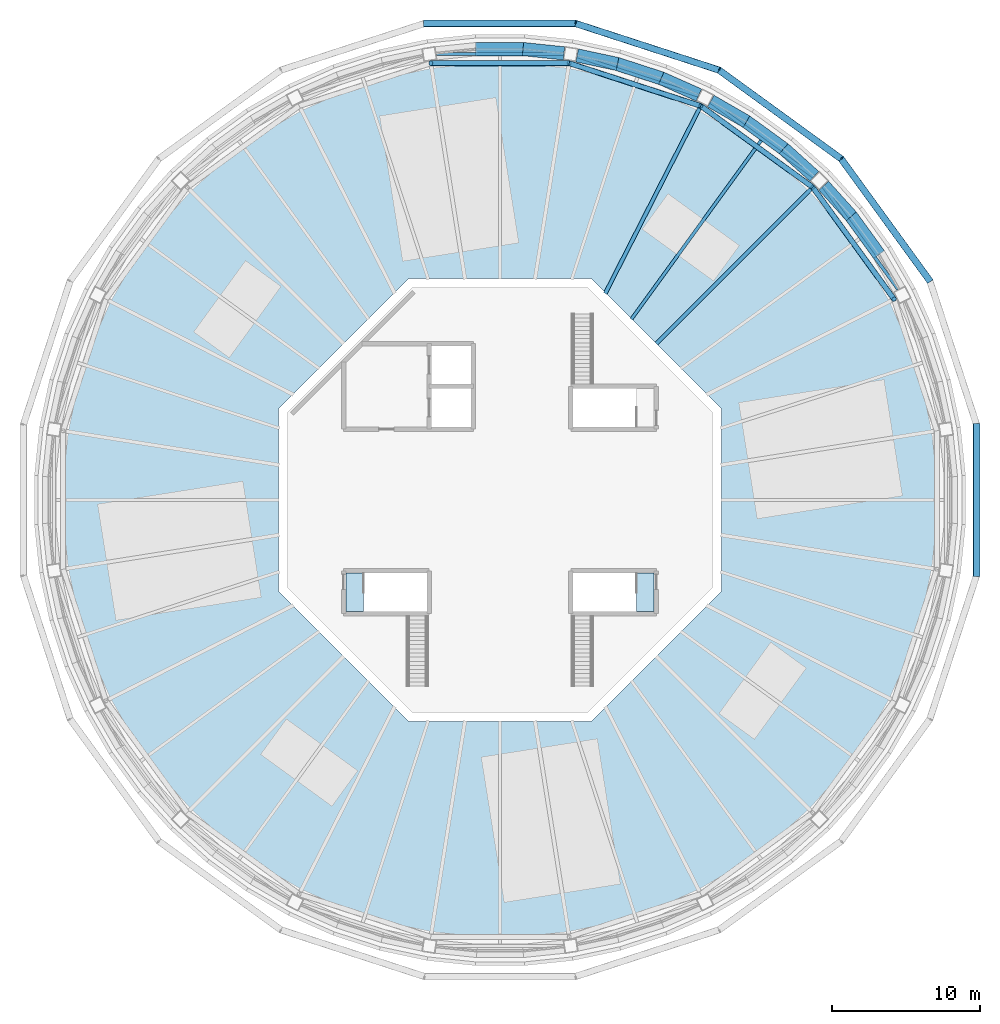
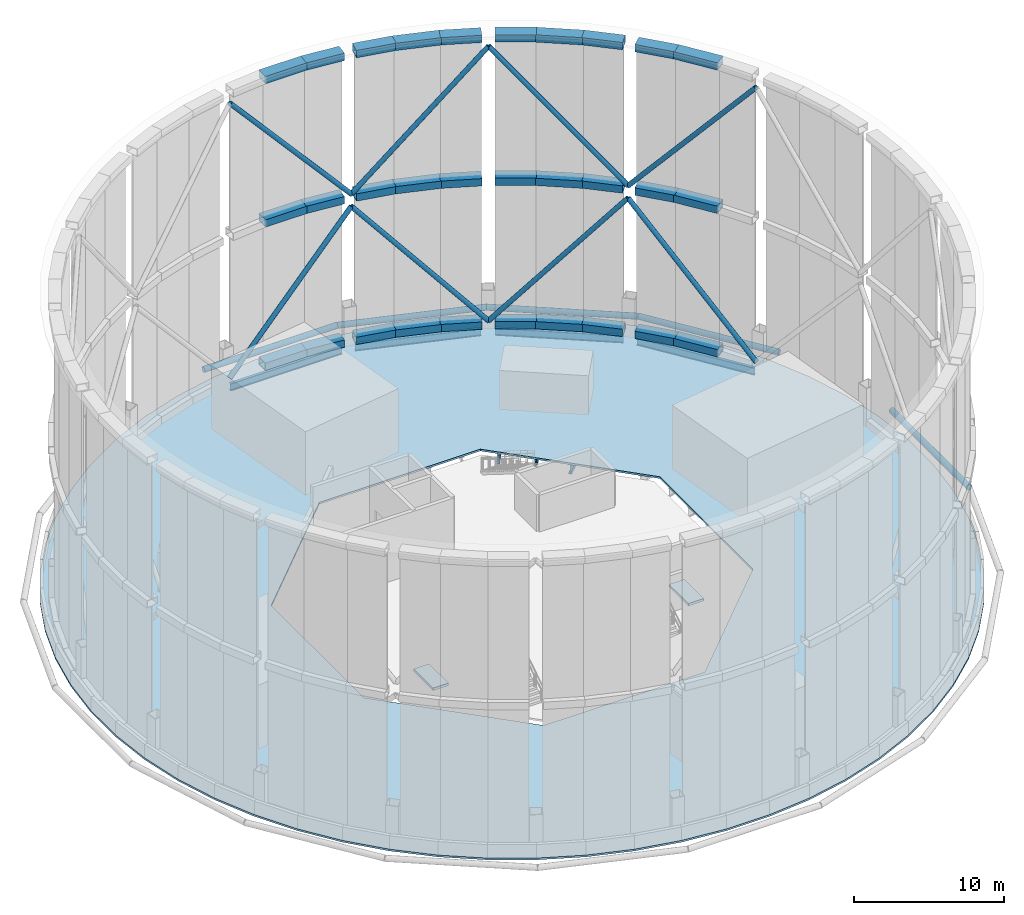
# One storey, part 5 of 11: 37 beams, 13 members, 3 slabs.
"""IFC4 building model written with IfcOpenShell, lengths in metres."""

from ifc_helpers import new_model, si_unit, direction, frame, origin, origin_2d, place, context, subcontext, project, spatial, polyline, hollow_rectangle, circle, hollow_circle, i_section, outline, extrude, material, layer, layer_set, material_profile, profile_set, type_object, element, save


model = new_model("IFC4")

# Units and contexts
model_context = context("Model", 3, precision=1e-05, world=origin(), true_north=direction((0.0, 1.0)))
body_context = subcontext(model_context, "Body", "Model", "MODEL_VIEW")
ifc_project = project(units=[si_unit("LENGTHUNIT", "METRE"), si_unit("AREAUNIT", "SQUARE_METRE"), si_unit("VOLUMEUNIT", "CUBIC_METRE"), si_unit("PLANEANGLEUNIT", "RADIAN"), si_unit("MASSUNIT", "GRAM", prefix="KILO")], contexts=[model_context])

# Site, building, storey
site_placement = place(None, origin())
site = spatial("IfcSite", under=ifc_project, at=site_placement, CompositionType="ELEMENT")
building_placement = place(site_placement, origin())
building = spatial("IfcBuilding", under=site, at=building_placement, Name="Entoto Ring Tower", CompositionType="ELEMENT")
storey_placement = place(building_placement, frame((0.0, 0.0, 415.0)))
storey = spatial("IfcBuildingStorey", under=building, at=storey_placement, Name="ROOF", CompositionType="ELEMENT", Elevation=415.0)

# Members
ifc_material_1 = material(Name="Steel S355", Category="steel")
ifc_material_profile_1 = material_profile(ifc_material_1, hollow_circle(Radius=0.177490234375, WallThickness=0.01611328125, at=origin_2d()), Name="Crown frame brace 355.6 x 16 mm tube")
ifc_profile_set_1 = profile_set([ifc_material_profile_1], Name="Steel S355")
member_type_1 = type_object("IfcMemberType", Name="Crown frame brace 355.6 x 16 mm tube", PredefinedType="BRACE", material=ifc_profile_set_1)
for number, where, z_axis, x_axis, name in (
    (1, (116.7080078125, 93.6083984375, 0.800048828125), (-0.387431986141, 0.533248763598, 0.752025406643), (-0.809014049878, -0.587789305023, 0.0), "CROWN FRAME BRACE 1-02"),
    (2, (111.195556640625, 101.195556640625, 11.5), (-0.533248763598, 0.387431986141, -0.752025406643), (-0.587789305023, -0.809014049878, 0.0), "CROWN FRAME BRACE 1-03"),
):
    element("IfcMember", number, at=place(storey_placement, frame(where, z_axis=z_axis, x_axis=x_axis)), inside=storey, type_object=member_type_1, Name=name, PredefinedType="BRACE", context=body_context, shape_type="SweptSolid", body=[
        extrude(hollow_circle(Radius=0.177490234375, WallThickness=0.01611328125, at=origin_2d()), origin(), (0.0, 0.0, 1.0), 14.228271484375),
    ])
member_1_placement = place(storey_placement, frame((103.6083984375, 106.7080078125, 0.800048828125), z_axis=(-0.626871162261, 0.203677789835, 0.752029190825), x_axis=(-0.309010136024, -0.951058744681, 0.0)))
element("IfcMember", 3, at=member_1_placement, inside=storey, type_object=member_type_1, Name="CROWN FRAME BRACE 1-04", PredefinedType="BRACE", context=body_context, shape_type="SweptSolid", body=[
    extrude(hollow_circle(Radius=0.177490234375, WallThickness=0.01611328125, at=origin_2d()), origin(), (0.0, 0.0, 1.0), 14.22802734375),
])
for number, where, z_axis, x_axis, name in (
    (4, (94.689208984375, 109.60595703125, 11.5), (-0.659139705863, 0.0, -0.752020510461), (0.0, -1.0, 0.0), "CROWN FRAME BRACE 1-05"),
    (5, (116.7080078125, 93.6083984375, 23.199951171875), (-0.387431986141, 0.533248763598, -0.752025406643), (-0.809014049878, -0.587789305023, 0.0), "CROWN FRAME BRACE 2-02"),
    (6, (111.195556640625, 101.195556640625, 12.5), (-0.533248763598, 0.387431986141, 0.752025406643), (-0.587789305023, -0.809014049878, 0.0), "CROWN FRAME BRACE 2-03"),
):
    element("IfcMember", number, at=place(storey_placement, frame(where, z_axis=z_axis, x_axis=x_axis)), inside=storey, type_object=member_type_1, Name=name, PredefinedType="BRACE", context=body_context, shape_type="SweptSolid", body=[
        extrude(hollow_circle(Radius=0.177490234375, WallThickness=0.01611328125, at=origin_2d()), origin(), (0.0, 0.0, 1.0), 14.228271484375),
    ])
member_2_placement = place(storey_placement, frame((103.6083984375, 106.7080078125, 23.199951171875), z_axis=(-0.626871162261, 0.203677789835, -0.752029190825), x_axis=(-0.309010136024, -0.951058744681, 0.0)))
element("IfcMember", 7, at=member_2_placement, inside=storey, type_object=member_type_1, Name="CROWN FRAME BRACE 2-04", PredefinedType="BRACE", context=body_context, shape_type="SweptSolid", body=[
    extrude(hollow_circle(Radius=0.177490234375, WallThickness=0.01611328125, at=origin_2d()), origin(), (0.0, 0.0, 1.0), 14.22802734375),
])
member_3_placement = place(storey_placement, frame((94.689208984375, 109.60595703125, 12.5), z_axis=(-0.659139705863, 0.0, 0.752020510461), x_axis=(0.0, -1.0, 0.0)))
element("IfcMember", 8, at=member_3_placement, inside=storey, type_object=member_type_1, Name="CROWN FRAME BRACE 2-05", PredefinedType="BRACE", context=body_context, shape_type="SweptSolid", body=[
    extrude(hollow_circle(Radius=0.177490234375, WallThickness=0.01611328125, at=origin_2d()), origin(), (0.0, 0.0, 1.0), 14.228271484375),
])

# Beams
ifc_material_2 = material(Name="Steel S355", Category="steel")
ifc_material_profile_2 = material_profile(ifc_material_2, hollow_rectangle(XDim=0.89990234375, YDim=0.60009765625, WallThickness=0.0400390625, at=origin_2d()), Name="Crown frame ring beam 900 x 600 x 40 mm")
ifc_profile_set_2 = profile_set([ifc_material_profile_2], Name="Steel S355")
beam_type_1 = type_object("IfcBeamType", Name="Crown frame ring beam 900 x 600 x 40 mm", PredefinedType="BEAM", material=ifc_profile_set_2)
beam_1_placement = place(storey_placement, frame((115.68896484375, 96.630615234375, 0.300048828125), z_axis=(-0.5877612999, 0.809034396265, 0.0), x_axis=(-0.809034396265, -0.5877612999, 0.0)))
element("IfcBeam", 9, at=beam_1_placement, inside=storey, type_object=beam_type_1, Name="CROWN FRAME BOTTOM RING 04", PredefinedType="BEAM", context=body_context, shape_type="SweptSolid", body=[
    extrude(hollow_rectangle(XDim=0.89990234375, YDim=0.60009765625, WallThickness=0.0400390625, at=origin_2d()), origin(), (0.0, 0.0, 1.0), 3.290283203125),
])
for number, where, z_axis, x_axis, name in (
    (10, (113.809814453125, 99.224853515625, 0.300048828125), (-0.669167285234, 0.743111798031, 0.0), (-0.743111798031, -0.669167285234, 0.0), "CROWN FRAME BOTTOM RING 05"),
    (11, (111.302978515625, 101.9384765625, 0.300048828125), (-0.743111798031, 0.669167285234, 0.0), (-0.669167285234, -0.743111798031, 0.0), "CROWN FRAME BOTTOM RING 06"),
):
    element("IfcBeam", number, at=place(storey_placement, frame(where, z_axis=z_axis, x_axis=x_axis)), inside=storey, type_object=beam_type_1, Name=name, PredefinedType="BEAM", context=body_context, shape_type="SweptSolid", body=[
        extrude(hollow_rectangle(XDim=0.89990234375, YDim=0.60009765625, WallThickness=0.0400390625, at=origin_2d()), origin(), (0.0, 0.0, 1.0), 2.796630859375),
    ])
beam_2_placement = place(storey_placement, frame((109.29248046875, 103.755126953125, 0.300048828125), z_axis=(-0.809034396265, 0.5877612999, 0.0), x_axis=(-0.5877612999, -0.809034396265, 0.0)))
element("IfcBeam", 12, at=beam_2_placement, inside=storey, type_object=beam_type_1, Name="CROWN FRAME BOTTOM RING 07", PredefinedType="BEAM", context=body_context, shape_type="SweptSolid", body=[
    extrude(hollow_rectangle(XDim=0.89990234375, YDim=0.60009765625, WallThickness=0.0400390625, at=origin_2d()), origin(), (0.0, 0.0, 1.0), 3.290283203125),
])
for number, where, z_axis, x_axis, name in (
    (13, (106.70361328125, 105.6416015625, 0.300048828125), (-0.866037299004, 0.49997939631, 0.0), (-0.49997939631, -0.866037299004, 0.0), "CROWN FRAME BOTTOM RING 08"),
    (14, (103.48095703125, 107.44775390625, 0.300048828125), (-0.913541336583, 0.406745899001, 0.0), (-0.406745899001, -0.913541336583, 0.0), "CROWN FRAME BOTTOM RING 09"),
):
    element("IfcBeam", number, at=place(storey_placement, frame(where, z_axis=z_axis, x_axis=x_axis)), inside=storey, type_object=beam_type_1, Name=name, PredefinedType="BEAM", context=body_context, shape_type="SweptSolid", body=[
        extrude(hollow_rectangle(XDim=0.89990234375, YDim=0.60009765625, WallThickness=0.0400390625, at=origin_2d()), origin(), (0.0, 0.0, 1.0), 2.79638671875),
    ])
beam_3_placement = place(storey_placement, frame((101.007568359375, 108.55419921875, 0.300048828125), z_axis=(-0.951067326899, 0.308983720778, 0.0), x_axis=(-0.308983720778, -0.951067326899, 0.0)))
element("IfcBeam", 15, at=beam_3_placement, inside=storey, type_object=beam_type_1, Name="CROWN FRAME BOTTOM RING 10", PredefinedType="BEAM", context=body_context, shape_type="SweptSolid", body=[
    extrude(hollow_rectangle(XDim=0.89990234375, YDim=0.60009765625, WallThickness=0.0400390625, at=origin_2d()), origin(), (0.0, 0.0, 1.0), 3.2900390625),
])
beam_4_placement = place(storey_placement, frame((97.96240234375, 109.54833984375, 0.300048828125), z_axis=(-0.978156188249, 0.207871285632, 0.0), x_axis=(-0.207871285632, -0.978156188249, 0.0)))
element("IfcBeam", 16, at=beam_4_placement, inside=storey, type_object=beam_type_1, Name="CROWN FRAME BOTTOM RING 11", PredefinedType="BEAM", context=body_context, shape_type="SweptSolid", body=[
    extrude(hollow_rectangle(XDim=0.89990234375, YDim=0.60009765625, WallThickness=0.0400390625, at=origin_2d()), origin(), (0.0, 0.0, 1.0), 2.79638671875),
])
beam_5_placement = place(storey_placement, frame((94.33935546875, 110.270263671875, 0.300048828125), z_axis=(-0.994525048139, 0.104498462309, 0.0), x_axis=(-0.104498462309, -0.994525048139, 0.0)))
element("IfcBeam", 17, at=beam_5_placement, inside=storey, type_object=beam_type_1, Name="CROWN FRAME BOTTOM RING 12", PredefinedType="BEAM", context=body_context, shape_type="SweptSolid", body=[
    extrude(hollow_rectangle(XDim=0.89990234375, YDim=0.60009765625, WallThickness=0.0400390625, at=origin_2d()), origin(), (0.0, 0.0, 1.0), 2.796630859375),
])
beam_6_placement = place(storey_placement, frame((91.64501953125, 110.55810546875, 0.300048828125), z_axis=(-1.0, 0.0, 0.0), x_axis=(0.0, -1.0, 0.0)))
element("IfcBeam", 18, at=beam_6_placement, inside=storey, type_object=beam_type_1, Name="CROWN FRAME BOTTOM RING 13", PredefinedType="BEAM", context=body_context, shape_type="SweptSolid", body=[
    extrude(hollow_rectangle(XDim=0.89990234375, YDim=0.60009765625, WallThickness=0.0400390625, at=origin_2d()), origin(), (0.0, 0.0, 1.0), 3.2900390625),
])
beam_7_placement = place(storey_placement, frame((115.68896484375, 96.630615234375, 12.0), z_axis=(-0.5877612999, 0.809034396265, 0.0), x_axis=(-0.809034396265, -0.5877612999, 0.0)))
element("IfcBeam", 19, at=beam_7_placement, inside=storey, type_object=beam_type_1, Name="CROWN FRAME MIDDLE RING 04", PredefinedType="BEAM", context=body_context, shape_type="SweptSolid", body=[
    extrude(hollow_rectangle(XDim=0.89990234375, YDim=0.60009765625, WallThickness=0.0400390625, at=origin_2d()), origin(), (0.0, 0.0, 1.0), 3.290283203125),
])
for number, where, z_axis, x_axis, name in (
    (20, (113.809814453125, 99.224853515625, 12.0), (-0.669167285234, 0.743111798031, 0.0), (-0.743111798031, -0.669167285234, 0.0), "CROWN FRAME MIDDLE RING 05"),
    (21, (111.302978515625, 101.9384765625, 12.0), (-0.743111798031, 0.669167285234, 0.0), (-0.669167285234, -0.743111798031, 0.0), "CROWN FRAME MIDDLE RING 06"),
):
    element("IfcBeam", number, at=place(storey_placement, frame(where, z_axis=z_axis, x_axis=x_axis)), inside=storey, type_object=beam_type_1, Name=name, PredefinedType="BEAM", context=body_context, shape_type="SweptSolid", body=[
        extrude(hollow_rectangle(XDim=0.89990234375, YDim=0.60009765625, WallThickness=0.0400390625, at=origin_2d()), origin(), (0.0, 0.0, 1.0), 2.796630859375),
    ])
beam_8_placement = place(storey_placement, frame((109.29248046875, 103.755126953125, 12.0), z_axis=(-0.809034396265, 0.5877612999, 0.0), x_axis=(-0.5877612999, -0.809034396265, 0.0)))
element("IfcBeam", 22, at=beam_8_placement, inside=storey, type_object=beam_type_1, Name="CROWN FRAME MIDDLE RING 07", PredefinedType="BEAM", context=body_context, shape_type="SweptSolid", body=[
    extrude(hollow_rectangle(XDim=0.89990234375, YDim=0.60009765625, WallThickness=0.0400390625, at=origin_2d()), origin(), (0.0, 0.0, 1.0), 3.290283203125),
])
for number, where, z_axis, x_axis, name in (
    (23, (106.70361328125, 105.6416015625, 12.0), (-0.866037299004, 0.49997939631, 0.0), (-0.49997939631, -0.866037299004, 0.0), "CROWN FRAME MIDDLE RING 08"),
    (24, (103.48095703125, 107.44775390625, 12.0), (-0.913541336583, 0.406745899001, 0.0), (-0.406745899001, -0.913541336583, 0.0), "CROWN FRAME MIDDLE RING 09"),
):
    element("IfcBeam", number, at=place(storey_placement, frame(where, z_axis=z_axis, x_axis=x_axis)), inside=storey, type_object=beam_type_1, Name=name, PredefinedType="BEAM", context=body_context, shape_type="SweptSolid", body=[
        extrude(hollow_rectangle(XDim=0.89990234375, YDim=0.60009765625, WallThickness=0.0400390625, at=origin_2d()), origin(), (0.0, 0.0, 1.0), 2.79638671875),
    ])
beam_9_placement = place(storey_placement, frame((101.007568359375, 108.55419921875, 12.0), z_axis=(-0.951067326899, 0.308983720778, 0.0), x_axis=(-0.308983720778, -0.951067326899, 0.0)))
element("IfcBeam", 25, at=beam_9_placement, inside=storey, type_object=beam_type_1, Name="CROWN FRAME MIDDLE RING 10", PredefinedType="BEAM", context=body_context, shape_type="SweptSolid", body=[
    extrude(hollow_rectangle(XDim=0.89990234375, YDim=0.60009765625, WallThickness=0.0400390625, at=origin_2d()), origin(), (0.0, 0.0, 1.0), 3.2900390625),
])
beam_10_placement = place(storey_placement, frame((97.96240234375, 109.54833984375, 12.0), z_axis=(-0.978156188249, 0.207871285632, 0.0), x_axis=(-0.207871285632, -0.978156188249, 0.0)))
element("IfcBeam", 26, at=beam_10_placement, inside=storey, type_object=beam_type_1, Name="CROWN FRAME MIDDLE RING 11", PredefinedType="BEAM", context=body_context, shape_type="SweptSolid", body=[
    extrude(hollow_rectangle(XDim=0.89990234375, YDim=0.60009765625, WallThickness=0.0400390625, at=origin_2d()), origin(), (0.0, 0.0, 1.0), 2.79638671875),
])
beam_11_placement = place(storey_placement, frame((94.33935546875, 110.270263671875, 12.0), z_axis=(-0.994525048139, 0.104498462309, 0.0), x_axis=(-0.104498462309, -0.994525048139, 0.0)))
element("IfcBeam", 27, at=beam_11_placement, inside=storey, type_object=beam_type_1, Name="CROWN FRAME MIDDLE RING 12", PredefinedType="BEAM", context=body_context, shape_type="SweptSolid", body=[
    extrude(hollow_rectangle(XDim=0.89990234375, YDim=0.60009765625, WallThickness=0.0400390625, at=origin_2d()), origin(), (0.0, 0.0, 1.0), 2.796630859375),
])
beam_12_placement = place(storey_placement, frame((91.64501953125, 110.55810546875, 12.0), z_axis=(-1.0, 0.0, 0.0), x_axis=(0.0, -1.0, 0.0)))
element("IfcBeam", 28, at=beam_12_placement, inside=storey, type_object=beam_type_1, Name="CROWN FRAME MIDDLE RING 13", PredefinedType="BEAM", context=body_context, shape_type="SweptSolid", body=[
    extrude(hollow_rectangle(XDim=0.89990234375, YDim=0.60009765625, WallThickness=0.0400390625, at=origin_2d()), origin(), (0.0, 0.0, 1.0), 3.2900390625),
])
beam_13_placement = place(storey_placement, frame((115.68896484375, 96.630615234375, 23.699951171875), z_axis=(-0.5877612999, 0.809034396265, 0.0), x_axis=(-0.809034396265, -0.5877612999, 0.0)))
element("IfcBeam", 29, at=beam_13_placement, inside=storey, type_object=beam_type_1, Name="CROWN FRAME TOP RING 04", PredefinedType="BEAM", context=body_context, shape_type="SweptSolid", body=[
    extrude(hollow_rectangle(XDim=0.89990234375, YDim=0.60009765625, WallThickness=0.0400390625, at=origin_2d()), origin(), (0.0, 0.0, 1.0), 3.290283203125),
])
for number, where, z_axis, x_axis, name in (
    (30, (113.809814453125, 99.224853515625, 23.699951171875), (-0.669167285234, 0.743111798031, 0.0), (-0.743111798031, -0.669167285234, 0.0), "CROWN FRAME TOP RING 05"),
    (31, (111.302978515625, 101.9384765625, 23.699951171875), (-0.743111798031, 0.669167285234, 0.0), (-0.669167285234, -0.743111798031, 0.0), "CROWN FRAME TOP RING 06"),
):
    element("IfcBeam", number, at=place(storey_placement, frame(where, z_axis=z_axis, x_axis=x_axis)), inside=storey, type_object=beam_type_1, Name=name, PredefinedType="BEAM", context=body_context, shape_type="SweptSolid", body=[
        extrude(hollow_rectangle(XDim=0.89990234375, YDim=0.60009765625, WallThickness=0.0400390625, at=origin_2d()), origin(), (0.0, 0.0, 1.0), 2.796630859375),
    ])
beam_14_placement = place(storey_placement, frame((109.29248046875, 103.755126953125, 23.699951171875), z_axis=(-0.809034396265, 0.5877612999, 0.0), x_axis=(-0.5877612999, -0.809034396265, 0.0)))
element("IfcBeam", 32, at=beam_14_placement, inside=storey, type_object=beam_type_1, Name="CROWN FRAME TOP RING 07", PredefinedType="BEAM", context=body_context, shape_type="SweptSolid", body=[
    extrude(hollow_rectangle(XDim=0.89990234375, YDim=0.60009765625, WallThickness=0.0400390625, at=origin_2d()), origin(), (0.0, 0.0, 1.0), 3.290283203125),
])
for number, where, z_axis, x_axis, name in (
    (33, (106.70361328125, 105.6416015625, 23.699951171875), (-0.866037299004, 0.49997939631, 0.0), (-0.49997939631, -0.866037299004, 0.0), "CROWN FRAME TOP RING 08"),
    (34, (103.48095703125, 107.44775390625, 23.699951171875), (-0.913541336583, 0.406745899001, 0.0), (-0.406745899001, -0.913541336583, 0.0), "CROWN FRAME TOP RING 09"),
):
    element("IfcBeam", number, at=place(storey_placement, frame(where, z_axis=z_axis, x_axis=x_axis)), inside=storey, type_object=beam_type_1, Name=name, PredefinedType="BEAM", context=body_context, shape_type="SweptSolid", body=[
        extrude(hollow_rectangle(XDim=0.89990234375, YDim=0.60009765625, WallThickness=0.0400390625, at=origin_2d()), origin(), (0.0, 0.0, 1.0), 2.79638671875),
    ])
beam_15_placement = place(storey_placement, frame((101.007568359375, 108.55419921875, 23.699951171875), z_axis=(-0.951067326899, 0.308983720778, 0.0), x_axis=(-0.308983720778, -0.951067326899, 0.0)))
element("IfcBeam", 35, at=beam_15_placement, inside=storey, type_object=beam_type_1, Name="CROWN FRAME TOP RING 10", PredefinedType="BEAM", context=body_context, shape_type="SweptSolid", body=[
    extrude(hollow_rectangle(XDim=0.89990234375, YDim=0.60009765625, WallThickness=0.0400390625, at=origin_2d()), origin(), (0.0, 0.0, 1.0), 3.2900390625),
])
beam_16_placement = place(storey_placement, frame((97.96240234375, 109.54833984375, 23.699951171875), z_axis=(-0.978156188249, 0.207871285632, 0.0), x_axis=(-0.207871285632, -0.978156188249, 0.0)))
element("IfcBeam", 36, at=beam_16_placement, inside=storey, type_object=beam_type_1, Name="CROWN FRAME TOP RING 11", PredefinedType="BEAM", context=body_context, shape_type="SweptSolid", body=[
    extrude(hollow_rectangle(XDim=0.89990234375, YDim=0.60009765625, WallThickness=0.0400390625, at=origin_2d()), origin(), (0.0, 0.0, 1.0), 2.79638671875),
])
beam_17_placement = place(storey_placement, frame((94.33935546875, 110.270263671875, 23.699951171875), z_axis=(-0.994525048139, 0.104498462309, 0.0), x_axis=(-0.104498462309, -0.994525048139, 0.0)))
element("IfcBeam", 37, at=beam_17_placement, inside=storey, type_object=beam_type_1, Name="CROWN FRAME TOP RING 12", PredefinedType="BEAM", context=body_context, shape_type="SweptSolid", body=[
    extrude(hollow_rectangle(XDim=0.89990234375, YDim=0.60009765625, WallThickness=0.0400390625, at=origin_2d()), origin(), (0.0, 0.0, 1.0), 2.796630859375),
])
beam_18_placement = place(storey_placement, frame((91.64501953125, 110.55810546875, 23.699951171875), z_axis=(-1.0, 0.0, 0.0), x_axis=(0.0, -1.0, 0.0)))
element("IfcBeam", 38, at=beam_18_placement, inside=storey, type_object=beam_type_1, Name="CROWN FRAME TOP RING 13", PredefinedType="BEAM", context=body_context, shape_type="SweptSolid", body=[
    extrude(hollow_rectangle(XDim=0.89990234375, YDim=0.60009765625, WallThickness=0.0400390625, at=origin_2d()), origin(), (0.0, 0.0, 1.0), 3.2900390625),
])

# Members
ifc_material_3 = material(Name="Steel S355", Category="steel")
ifc_material_profile_3 = material_profile(ifc_material_3, hollow_circle(Radius=0.228515625, WallThickness=0.02001953125, at=origin_2d()), Name="CHS 457 x 20")
ifc_material_4 = material(Name="Concrete C60/75", Category="concrete")
ifc_material_profile_4 = material_profile(ifc_material_4, circle(Radius=0.20849609375, at=origin_2d()), Name="Concrete C60/75 infill")
ifc_profile_set_3 = profile_set([ifc_material_profile_3, ifc_material_profile_4], Name="Steel S355")
member_type_2 = type_object("IfcMemberType", Name="Diagrid ring beam 457 x 20", PredefinedType="CHORD", material=ifc_profile_set_3)
for number, where, z_axis, x_axis, name in (
    (39, (119.1689453125, 94.800048828125, 0.0), (-0.587781465034, 0.809019745966, 0.0), (-0.809019745966, -0.587781465034, 0.0), "DR3 ring 30 02"),
    (40, (113.16796875, 103.08935546875, 0.0), (-0.809019745966, 0.587781465034, 0.0), (-0.587781465034, -0.809019745966, 0.0), "DR3 ring 30 03"),
):
    element("IfcMember", number, at=place(storey_placement, frame(where, z_axis=z_axis, x_axis=x_axis)), inside=storey, type_object=member_type_2, Name=name, PredefinedType="CHORD", context=body_context, shape_type="SweptSolid", body=[
        extrude(hollow_circle(Radius=0.228515625, WallThickness=0.02001953125, at=origin_2d()), origin(), (0.0, 0.0, 1.0), 10.34326171875),
    ])
member_4_placement = place(storey_placement, frame((104.89892578125, 109.11865234375, 0.0), z_axis=(-0.951061125206, 0.309002809244, 0.0), x_axis=(-0.309002809244, -0.951061125206, 0.0)))
element("IfcMember", 41, at=member_4_placement, inside=storey, type_object=member_type_2, Name="DR3 ring 30 04", PredefinedType="CHORD", context=body_context, shape_type="SweptSolid", body=[
    extrude(hollow_circle(Radius=0.228515625, WallThickness=0.02001953125, at=origin_2d()), origin(), (0.0, 0.0, 1.0), 10.343017578125),
])
for number, where, z_axis, x_axis, name in (
    (42, (95.171630859375, 112.29736328125, 0.0), (-1.0, 0.0, 0.0), (0.0, -1.0, 0.0), "DR3 ring 30 05"),
    (43, (122.29736328125, 74.828369140625, 0.0), (0.0, 1.0, 0.0), (-1.0, 0.0, 0.0), "DR3 ring 30 20"),
):
    element("IfcMember", number, at=place(storey_placement, frame(where, z_axis=z_axis, x_axis=x_axis)), inside=storey, type_object=member_type_2, Name=name, PredefinedType="CHORD", context=body_context, shape_type="SweptSolid", body=[
        extrude(hollow_circle(Radius=0.228515625, WallThickness=0.02001953125, at=origin_2d()), origin(), (0.0, 0.0, 1.0), 10.34326171875),
    ])

# Beams
ifc_material_5 = material(Name="Steel S355", Category="steel")
ifc_material_profile_5 = material_profile(ifc_material_5, i_section(OverallWidth=0.219970703125, OverallDepth=0.60009765625, WebThickness=0.011962890625, FlangeThickness=0.01904296875, FilletRadius=0.02392578125, at=origin_2d()), Name="IPE 600")
ifc_profile_set_4 = profile_set([ifc_material_profile_5], Name="Steel S355")
beam_type_2 = type_object("IfcBeamType", Name="Edge beam IPE 600", PredefinedType="SPANDREL", material=ifc_profile_set_4)
for number, where, z_axis, x_axis, name in (
    (44, (116.989990234375, 94.2705078125, -0.449951171875), (-0.587798573208, 0.809007315996, 0.0), (-0.809007315996, -0.587798573208, 0.0), "Edge beam ROOF 02"),
    (45, (111.259033203125, 101.912353515625, -0.449951171875), (-0.809007315996, 0.587798573208, 0.0), (-0.587798573208, -0.809007315996, 0.0), "Edge beam ROOF 03"),
    (46, (103.447265625, 107.409423828125, -0.449951171875), (-0.951055458907, 0.309020248661, 0.0), (-0.309020248661, -0.951055458907, 0.0), "Edge beam ROOF 04"),
):
    element("IfcBeam", number, at=place(storey_placement, frame(where, z_axis=z_axis, x_axis=x_axis)), inside=storey, type_object=beam_type_2, Name=name, PredefinedType="SPANDREL", context=body_context, shape_type="SweptSolid", body=[
        extrude(i_section(OverallWidth=0.219970703125, OverallDepth=0.60009765625, WebThickness=0.011962890625, FlangeThickness=0.01904296875, FilletRadius=0.02392578125, at=origin_2d()), origin(), (0.0, 0.0, 1.0), 8.638427734375),
    ])
beam_19_placement = place(storey_placement, frame((94.319091796875, 110.22314453125, -0.449951171875), z_axis=(-1.0, 0.0, 0.0), x_axis=(0.0, -1.0, 0.0)))
element("IfcBeam", 47, at=beam_19_placement, inside=storey, type_object=beam_type_2, Name="Edge beam ROOF 05", PredefinedType="SPANDREL", context=body_context, shape_type="SweptSolid", body=[
    extrude(i_section(OverallWidth=0.219970703125, OverallDepth=0.60009765625, WebThickness=0.011962890625, FlangeThickness=0.01904296875, FilletRadius=0.02392578125, at=origin_2d()), origin(), (0.0, 0.0, 1.0), 8.63818359375),
])
ifc_material_6 = material(Name="Steel S355", Category="steel")
ifc_material_profile_6 = material_profile(ifc_material_6, i_section(OverallWidth=0.262939453125, OverallDepth=0.7529296875, WebThickness=0.011474609375, FlangeThickness=0.01708984375, FilletRadius=0.01708984375, at=origin_2d()), Name="IPE 750 x 137")
ifc_profile_set_5 = profile_set([ifc_material_profile_6], Name="Steel S355")
beam_type_3 = type_object("IfcBeamType", Name="Primary floor beam IPE 750 x 137", PredefinedType="BEAM", material=ifc_profile_set_5)
beam_20_placement = place(storey_placement, frame((100.592529296875, 90.592529296875, -0.526611328125), z_axis=(0.707106781187, 0.707106781187, 0.0), x_axis=(-0.707106781187, 0.707106781187, 0.0)))
element("IfcBeam", 48, at=beam_20_placement, inside=storey, type_object=beam_type_3, Name="Primary ROOF R03", PredefinedType="BEAM", context=body_context, shape_type="SweptSolid", body=[
    extrude(i_section(OverallWidth=0.262939453125, OverallDepth=0.7529296875, WebThickness=0.011474609375, FlangeThickness=0.01708984375, FilletRadius=0.01708984375, at=origin_2d()), origin(), (0.0, 0.0, 1.0), 15.157470703125),
])
beam_21_placement = place(storey_placement, frame((97.1318359375, 93.9970703125, -0.526611328125), z_axis=(0.453989403652, 0.891007082672, 0.0), x_axis=(-0.891007082672, 0.453989403652, 0.0)))
element("IfcBeam", 49, at=beam_21_placement, inside=storey, type_object=beam_type_3, Name="Primary ROOF R04", PredefinedType="BEAM", context=body_context, shape_type="SweptSolid", body=[
    extrude(i_section(OverallWidth=0.262939453125, OverallDepth=0.7529296875, WebThickness=0.011474609375, FlangeThickness=0.01708984375, FilletRadius=0.01708984375, at=origin_2d()), origin(), (0.0, 0.0, 1.0), 14.42822265625),
])
ifc_material_7 = material(Name="Steel S355", Category="steel")
ifc_material_profile_7 = material_profile(ifc_material_7, i_section(OverallWidth=0.219970703125, OverallDepth=0.60009765625, WebThickness=0.011962890625, FlangeThickness=0.01904296875, FilletRadius=0.02392578125, at=origin_2d()), Name="IPE 600")
ifc_profile_set_6 = profile_set([ifc_material_profile_7], Name="Steel S355")
beam_type_4 = type_object("IfcBeamType", Name="Secondary floor beam IPE 600", PredefinedType="JOIST", material=ifc_profile_set_6)
beam_22_placement = place(storey_placement, frame((98.90478515625, 92.25634765625, -0.449951171875), z_axis=(0.587789403642, 0.809013978227, 0.0), x_axis=(-0.809013978227, 0.587789403642, 0.0)))
element("IfcBeam", 50, at=beam_22_placement, inside=storey, type_object=beam_type_4, Name="Secondary beam ROOF 03", PredefinedType="JOIST", context=body_context, shape_type="SweptSolid", body=[
    extrude(i_section(OverallWidth=0.219970703125, OverallDepth=0.60009765625, WebThickness=0.011962890625, FlangeThickness=0.01904296875, FilletRadius=0.02392578125, at=origin_2d()), origin(), (0.0, 0.0, 1.0), 14.963623046875),
])

# Slabs
ifc_material_8 = material(Name="Concrete C30/37", Category="concrete")
ifc_layer_1 = layer(ifc_material_8, 0.14990234375)
ifc_layer_set_1 = layer_set([ifc_layer_1], Name="Concrete C30/37")
slab_type_1 = type_object("IfcSlabType", Name="Composite roof slab 150 mm", PredefinedType="ROOF", material=ifc_layer_set_1)
slab_1_placement = place(storey_placement, frame((0.0, 0.0, -0.14990234375)))
element("IfcSlab", 51, at=slab_1_placement, inside=storey, type_object=slab_type_1, Name="Roof slab ROOF", PredefinedType="ROOF", context=body_context, shape_type="SweptSolid", body=[
    extrude(outline(polyline([(121.2109375, 84.943359375), (120.523193359375, 88.1787109375), (119.501220703125, 91.324462890625), (118.15576171875, 94.34619140625), (116.501953125, 97.210693359375), (114.557861328125, 99.886474609375), (112.344482421875, 102.344482421875), (109.886474609375, 104.557861328125), (107.210693359375, 106.501953125), (104.34619140625, 108.15576171875), (101.324462890625, 109.501220703125), (98.1787109375, 110.523193359375), (94.943359375, 111.2109375), (91.65380859375, 111.556640625), (88.34619140625, 111.556640625), (85.056640625, 111.2109375), (81.8212890625, 110.523193359375), (78.675537109375, 109.501220703125), (75.65380859375, 108.15576171875), (72.789306640625, 106.501953125), (70.113525390625, 104.557861328125), (67.655517578125, 102.344482421875), (65.442138671875, 99.886474609375), (63.498046875, 97.210693359375), (61.84423828125, 94.34619140625), (60.498779296875, 91.324462890625), (59.476806640625, 88.1787109375), (58.7890625, 84.943359375), (58.443359375, 81.65380859375), (58.443359375, 78.34619140625), (58.7890625, 75.056640625), (59.476806640625, 71.8212890625), (60.498779296875, 68.675537109375), (61.84423828125, 65.65380859375), (63.498046875, 62.789306640625), (65.442138671875, 60.113525390625), (67.655517578125, 57.655517578125), (70.113525390625, 55.442138671875), (72.789306640625, 53.498046875), (75.65380859375, 51.84423828125), (78.675537109375, 50.498779296875), (81.8212890625, 49.476806640625), (85.056640625, 48.7890625), (88.34619140625, 48.443359375), (91.65380859375, 48.443359375), (94.943359375, 48.7890625), (98.1787109375, 49.476806640625), (101.324462890625, 50.498779296875), (104.34619140625, 51.84423828125), (107.210693359375, 53.498046875), (109.886474609375, 55.442138671875), (112.344482421875, 57.655517578125), (114.557861328125, 60.113525390625), (116.501953125, 62.789306640625), (118.15576171875, 65.65380859375), (119.501220703125, 68.675537109375), (120.523193359375, 71.8212890625), (121.2109375, 75.056640625), (121.556640625, 78.34619140625), (121.556640625, 81.65380859375), (121.2109375, 84.943359375)]), holes=[polyline([(105.0, 73.786865234375), (105.0, 86.213134765625), (96.213134765625, 95.0), (83.786865234375, 95.0), (75.0, 86.213134765625), (75.0, 73.786865234375), (83.786865234375, 65.0), (96.213134765625, 65.0), (105.0, 73.786865234375)])]), origin(), (0.0, 0.0, 1.0), 0.14990234375),
])
ifc_material_9 = material(Name="Concrete C40/50", Category="concrete")
ifc_layer_2 = layer(ifc_material_9, 0.199951171875)
ifc_layer_set_2 = layer_set([ifc_layer_2], Name="Concrete C40/50")
slab_type_2 = type_object("IfcSlabType", Name="Stair landing 200 mm reinforced concrete", PredefinedType="LANDING", material=ifc_layer_set_2)
slab_2_placement = place(storey_placement, frame((0.0, 0.0, -0.199951171875)))
element("IfcSlab", 52, at=slab_2_placement, inside=storey, type_object=slab_type_2, Name="Stair landing 2 roof", PredefinedType="LANDING", context=body_context, shape_type="SweptSolid", body=[
    extrude(outline(polyline([(79.550048828125, 72.449951171875), (80.75, 72.449951171875), (80.75, 75.050048828125), (79.550048828125, 75.050048828125), (79.550048828125, 72.449951171875)])), origin(), (0.0, 0.0, 1.0), 0.199951171875),
])
slab_3_placement = place(storey_placement, frame((0.0, 0.0, -0.199951171875)))
element("IfcSlab", 53, at=slab_3_placement, inside=storey, type_object=slab_type_2, Name="Stair landing 3 roof", PredefinedType="LANDING", context=body_context, shape_type="SweptSolid", body=[
    extrude(outline(polyline([(99.25, 72.449951171875), (100.449951171875, 72.449951171875), (100.449951171875, 75.050048828125), (99.25, 75.050048828125), (99.25, 72.449951171875)])), origin(), (0.0, 0.0, 1.0), 0.199951171875),
])

save(model, "model.ifc")
